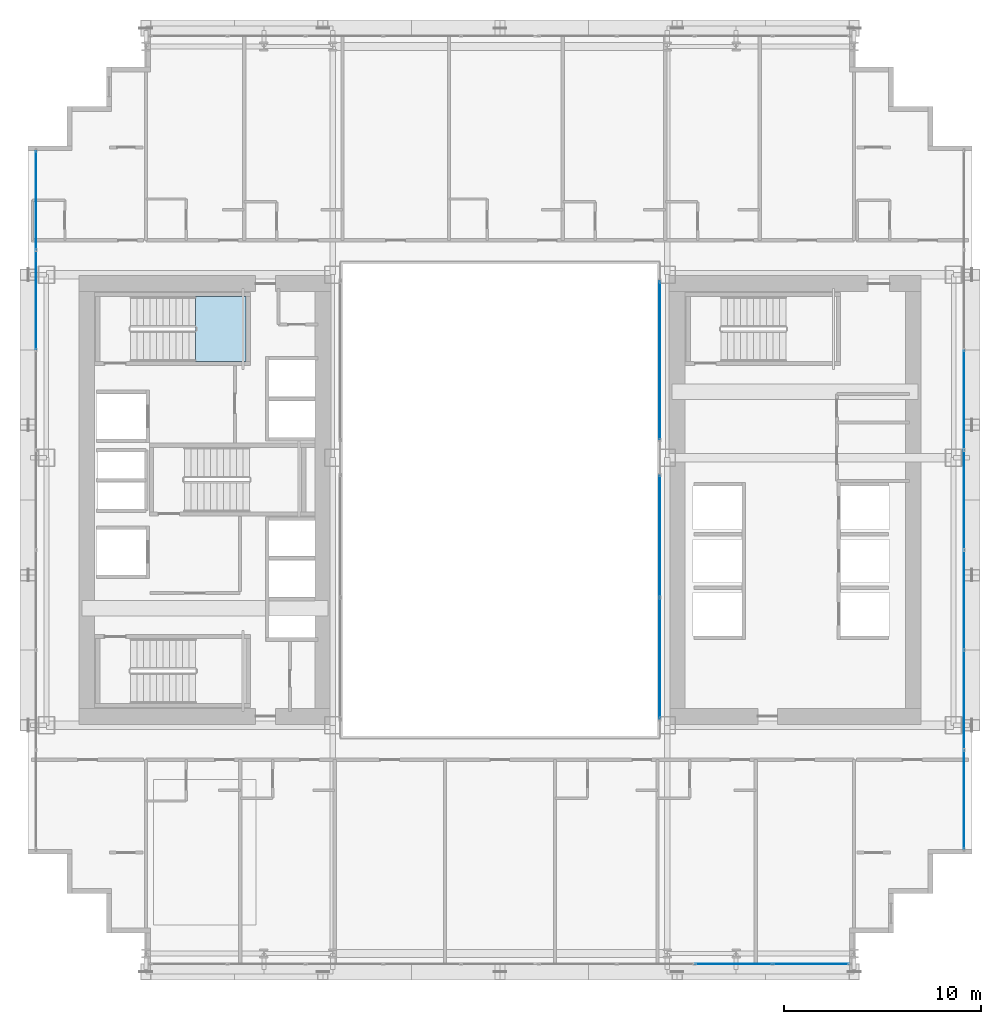
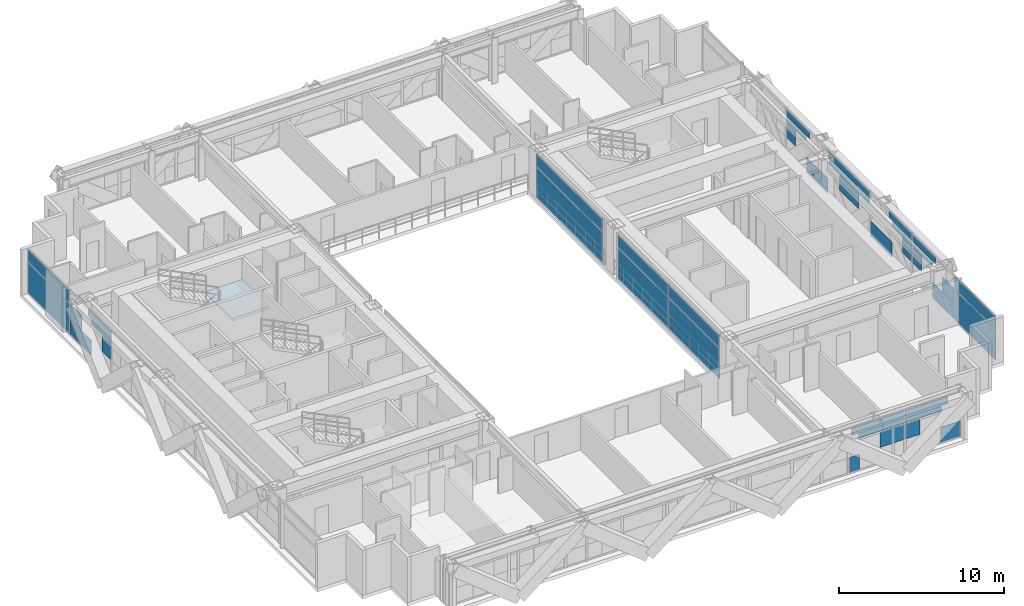
# One storey, part 29 of 41: 39 plates, 1 slab, 6 elements without a shape of their own.
"""IFC4 building model written with IfcOpenShell, lengths in metres."""

from ifc_helpers import new_model, si_unit, direction, frame, origin, origin_2d, place, context, subcontext, project, spatial, polyline, rectangle, outline, extrude, source, transform, mapped, material, layer, layer_set, type_object, element, aggregate, save


model = new_model("IFC4")

# Units and contexts
model_context = context("Model", 3, precision=1e-05, world=origin(), true_north=direction((0.0, 1.0)))
body_context = subcontext(model_context, "Body", "Model", "MODEL_VIEW")
ifc_project = project(units=[si_unit("LENGTHUNIT", "METRE"), si_unit("AREAUNIT", "SQUARE_METRE"), si_unit("VOLUMEUNIT", "CUBIC_METRE"), si_unit("PLANEANGLEUNIT", "RADIAN"), si_unit("MASSUNIT", "GRAM", prefix="KILO")], contexts=[model_context])

# Site, building, storey
site_placement = place(None, origin())
site = spatial("IfcSite", under=ifc_project, at=site_placement, CompositionType="ELEMENT")
building_placement = place(site_placement, origin())
building = spatial("IfcBuilding", under=site, at=building_placement, Name="Ocotamira Hotel", CompositionType="ELEMENT")
storey_placement = place(building_placement, frame((0.0, 0.0, 67.199951171875)))
storey = spatial("IfcBuildingStorey", under=building, at=storey_placement, Name="L16", CompositionType="ELEMENT", Elevation=67.199951171875)

# Stair, slab
ifc_material_1 = material(Name="Concrete C40/50", Category="concrete")
stair_type = type_object("IfcStairType", Name="ST-CORE-1560", PredefinedType="HALF_TURN_STAIR", material=ifc_material_1)
stair_placement = place(storey_placement, origin())
stair = element("IfcStair", 1, at=stair_placement, inside=storey, type_object=stair_type, Name="L16 Exit Stair ST-2", PredefinedType="HALF_TURN_STAIR")
ifc_layer_1 = layer(ifc_material_1, 0.199951171875)
ifc_layer_set_1 = layer_set([ifc_layer_1], Name="Concrete C40/50")
slab_type = type_object("IfcSlabType", Name="SLB-LAND-200", PredefinedType="LANDING", material=ifc_layer_set_1)
slab_placement = place(storey_placement, frame((0.0, 0.0, 1.60009765625)))
slab = element("IfcSlab", 2, at=slab_placement, type_object=slab_type, Name="ST-2 landing 1", PredefinedType="LANDING", context=body_context, shape_type="SweptSolid", body=[
    extrude(outline(polyline([(16.530029296875, 33.050048828125), (19.090087890625, 33.050048828125), (19.090087890625, 36.330078125), (16.530029296875, 36.330078125), (16.530029296875, 33.050048828125)])), origin(), (0.0, 0.0, 1.0), 0.199951171875),
])
aggregate(stair, [slab])

# Curtain wall, plate
ifc_material_2 = material(Name="Anodised pale-metal aluminium and solar glass", Category="aluminium")
ifc_layer_2 = layer(ifc_material_2, 0.179931640625)
ifc_layer_set_2 = layer_set([ifc_layer_2], Name="Anodised pale-metal aluminium and solar glass")
curtain_wall_type_1 = type_object("IfcCurtainWallType", Name="CW-SYS2-Z1", PredefinedType="NOTDEFINED", material=ifc_layer_set_2)
curtain_wall_1_placement = place(storey_placement, origin())
curtain_wall_1 = element("IfcCurtainWall", 3, at=curtain_wall_1_placement, inside=storey, type_object=curtain_wall_type_1, Name="L16 Curtain Wall CW-2 CW-L16-W", PredefinedType="NOTDEFINED")
ifc_material_3 = material(Name="Double-silver low-E insulated solar glass", Category="glass")
ifc_layer_3 = layer(ifc_material_3, 0.031982421875)
ifc_layer_set_3 = layer_set([ifc_layer_3], Name="Double-silver low-E insulated solar glass")
plate_type = type_object("IfcPlateType", Name="CWP-VISION-32", PredefinedType="CURTAIN_PANEL", material=ifc_layer_set_3)
shared_shape_1 = source(origin(), body_context, "Body", "SweptSolid", [
    extrude(rectangle(XDim=4.9658203125, YDim=0.031982421875, at=origin_2d()), origin(), (0.0, 0.0, 1.0), 2.237548828125),
])
plate_1_placement = place(storey_placement, frame((8.419921875, 41.237060546875, 0.0751953125), z_axis=(0.0, 0.0, 1.0), x_axis=(0.0, 1.0, 0.0)))
plate_1 = element("IfcPlate", 4, at=plate_1_placement, type_object=plate_type, Name="CW-2 panel 7.1", PredefinedType="CURTAIN_PANEL", context=body_context, shape_type="MappedRepresentation", body=[
    mapped(shared_shape_1, transform((0.0, 0.0, 0.0), scale=1.0)),
])

curtain_wall_2_placement = place(storey_placement, origin())
curtain_wall_2 = element("IfcCurtainWall", 5, at=curtain_wall_2_placement, inside=storey, type_object=curtain_wall_type_1, Name="L16 Curtain Wall CW-2 CW-L16-E", PredefinedType="NOTDEFINED")
plate_2_placement = place(storey_placement, frame((55.580078125, 10.762939453125, 0.0751953125), z_axis=(0.0, 0.0, 1.0), x_axis=(0.0, 1.0, 0.0)))
plate_2 = element("IfcPlate", 6, at=plate_2_placement, type_object=plate_type, Name="CW-2 panel 1.1", PredefinedType="CURTAIN_PANEL", context=body_context, shape_type="MappedRepresentation", body=[
    mapped(shared_shape_1, transform((0.0, 0.0, 0.0), scale=1.0)),
])

# Plate
shared_shape_2 = source(origin(), body_context, "Body", "SweptSolid", [
    extrude(rectangle(XDim=4.9658203125, YDim=0.031982421875, at=origin_2d()), origin(), (0.0, 0.0, 1.0), 0.887451171875),
])
plate_3_placement = place(storey_placement, frame((8.419921875, 41.237060546875, 2.3876953125), z_axis=(0.0, 0.0, 1.0), x_axis=(0.0, 1.0, 0.0)))
plate_3 = element("IfcPlate", 7, at=plate_3_placement, type_object=plate_type, Name="CW-2 panel 7.2", PredefinedType="CURTAIN_PANEL", context=body_context, shape_type="MappedRepresentation", body=[
    mapped(shared_shape_2, transform((0.0, 0.0, 0.0), scale=1.0)),
])

plate_4_placement = place(storey_placement, frame((55.580078125, 10.762939453125, 2.3876953125), z_axis=(0.0, 0.0, 1.0), x_axis=(0.0, 1.0, 0.0)))
plate_4 = element("IfcPlate", 8, at=plate_4_placement, type_object=plate_type, Name="CW-2 panel 1.2", PredefinedType="CURTAIN_PANEL", context=body_context, shape_type="MappedRepresentation", body=[
    mapped(shared_shape_2, transform((0.0, 0.0, 0.0), scale=1.0)),
])

# Curtain wall, plates
curtain_wall_3_placement = place(storey_placement, origin())
curtain_wall_3 = element("IfcCurtainWall", 9, at=curtain_wall_3_placement, inside=storey, type_object=curtain_wall_type_1, Name="L16 Curtain Wall CW-2 CW-L16-S1", PredefinedType="NOTDEFINED")
shared_shape_3 = source(origin(), body_context, "Body", "SweptSolid", [
    extrude(rectangle(XDim=1.382568359375, YDim=0.031982421875, at=origin_2d()), origin(), (0.0, 0.0, 1.0), 1.11865234375),
])
plate_5_placement = place(storey_placement, frame((49.02880859375, 2.419921875, 0.0751953125), z_axis=(0.0, 0.0, 1.0), x_axis=(1.0, 0.0, 0.0)))
plate_5 = element("IfcPlate", 10, at=plate_5_placement, type_object=plate_type, Name="CW-2 panel 9.1.2", PredefinedType="CURTAIN_PANEL", context=body_context, shape_type="MappedRepresentation", body=[
    mapped(shared_shape_3, transform((0.0, 0.0, 0.0), scale=1.0)),
])
shared_shape_4 = source(origin(), body_context, "Body", "SweptSolid", [
    extrude(rectangle(XDim=2.9755859375, YDim=0.031982421875, at=origin_2d()), origin(), (0.0, 0.0, 1.0), 0.5107421875),
])
plate_6_placement = place(storey_placement, frame((47.372314453125, 2.419921875, 2.76416015625), z_axis=(0.0, 0.0, 1.0), x_axis=(1.0, 0.0, 0.0)))
plate_6 = element("IfcPlate", 11, at=plate_6_placement, type_object=plate_type, Name="CW-2 panel 9.2.2", PredefinedType="CURTAIN_PANEL", context=body_context, shape_type="MappedRepresentation", body=[
    mapped(shared_shape_4, transform((0.0, 0.0, 0.0), scale=1.0)),
])
shared_shape_5 = source(origin(), body_context, "Body", "SweptSolid", [
    extrude(rectangle(XDim=2.504638671875, YDim=0.031982421875, at=origin_2d()), origin(), (0.0, 0.0, 1.0), 0.345458984375),
])
plate_7_placement = place(storey_placement, frame((47.13671875, 2.419921875, 2.3876953125), z_axis=(0.0, 0.0, 1.0), x_axis=(1.0, 0.0, 0.0)))
plate_7 = element("IfcPlate", 12, at=plate_7_placement, type_object=plate_type, Name="CW-2 panel 9.2.1", PredefinedType="CURTAIN_PANEL", context=body_context, shape_type="MappedRepresentation", body=[
    mapped(shared_shape_5, transform((0.0, 0.0, 0.0), scale=1.0)),
])
shared_shape_6 = source(origin(), body_context, "Body", "SweptSolid", [
    extrude(rectangle(XDim=0.733642578125, YDim=0.031982421875, at=origin_2d()), origin(), (0.0, 0.0, 1.0), 1.11865234375),
])
plate_8_placement = place(storey_placement, frame((42.295654296875, 2.419921875, 0.0751953125), z_axis=(0.0, 0.0, 1.0), x_axis=(1.0, 0.0, 0.0)))
plate_8 = element("IfcPlate", 13, at=plate_8_placement, type_object=plate_type, Name="CW-2 panel 8.1.1", PredefinedType="CURTAIN_PANEL", context=body_context, shape_type="MappedRepresentation", body=[
    mapped(shared_shape_6, transform((0.0, 0.0, 0.0), scale=1.0)),
])
shared_shape_7 = source(origin(), body_context, "Body", "SweptSolid", [
    extrude(rectangle(XDim=3.193603515625, YDim=0.031982421875, at=origin_2d()), origin(), (0.0, 0.0, 1.0), 0.376708984375),
])
plate_9_placement = place(storey_placement, frame((44.207763671875, 2.419921875, 2.3876953125), z_axis=(0.0, 0.0, 1.0), x_axis=(1.0, 0.0, 0.0)))
plate_9 = element("IfcPlate", 14, at=plate_9_placement, type_object=plate_type, Name="CW-2 panel 8.2.2", PredefinedType="CURTAIN_PANEL", context=body_context, shape_type="MappedRepresentation", body=[
    mapped(shared_shape_7, transform((0.0, 0.0, 0.0), scale=1.0)),
])
shared_shape_8 = source(origin(), body_context, "Body", "SweptSolid", [
    extrude(rectangle(XDim=3.664306640625, YDim=0.031982421875, at=origin_2d()), origin(), (0.0, 0.0, 1.0), 0.5107421875),
])
plate_10_placement = place(storey_placement, frame((43.972412109375, 2.419921875, 2.76416015625), z_axis=(0.0, 0.0, 1.0), x_axis=(1.0, 0.0, 0.0)))
plate_10 = element("IfcPlate", 15, at=plate_10_placement, type_object=plate_type, Name="CW-2 panel 8.2.1", PredefinedType="CURTAIN_PANEL", context=body_context, shape_type="MappedRepresentation", body=[
    mapped(shared_shape_8, transform((0.0, 0.0, 0.0), scale=1.0)),
])

# Plate
shared_shape_9 = source(origin(), body_context, "Body", "SweptSolid", [
    extrude(rectangle(XDim=2.58935546875, YDim=0.031982421875, at=origin_2d()), origin(), (0.0, 0.0, 1.0), 1.11865234375),
])
plate_11_placement = place(storey_placement, frame((8.419921875, 37.379638671875, 0.0751953125), z_axis=(0.0, 0.0, 1.0), x_axis=(0.0, 1.0, 0.0)))
plate_11 = element("IfcPlate", 16, at=plate_11_placement, type_object=plate_type, Name="CW-2 panel 6.1.2", PredefinedType="CURTAIN_PANEL", context=body_context, shape_type="MappedRepresentation", body=[
    mapped(shared_shape_9, transform((0.0, 0.0, 0.0), scale=1.0)),
])

plate_12_placement = place(storey_placement, frame((55.580078125, 14.620361328125, 0.0751953125), z_axis=(0.0, 0.0, 1.0), x_axis=(0.0, 1.0, 0.0)))
plate_12 = element("IfcPlate", 17, at=plate_12_placement, type_object=plate_type, Name="CW-2 panel 2.1.1", PredefinedType="CURTAIN_PANEL", context=body_context, shape_type="MappedRepresentation", body=[
    mapped(shared_shape_9, transform((0.0, 0.0, 0.0), scale=1.0)),
])

shared_shape_10 = source(origin(), body_context, "Body", "SweptSolid", [
    extrude(rectangle(XDim=2.796630859375, YDim=0.031982421875, at=origin_2d()), origin(), (0.0, 0.0, 1.0), 0.485107421875),
])
plate_13_placement = place(storey_placement, frame((8.419921875, 35.06689453125, 2.7900390625), z_axis=(0.0, 0.0, 1.0), x_axis=(0.0, 1.0, 0.0)))
plate_13 = element("IfcPlate", 18, at=plate_13_placement, type_object=plate_type, Name="CW-2 panel 6.2.2", PredefinedType="CURTAIN_PANEL", context=body_context, shape_type="MappedRepresentation", body=[
    mapped(shared_shape_10, transform((0.0, 0.0, 0.0), scale=1.0)),
])

plate_14_placement = place(storey_placement, frame((55.580078125, 16.93310546875, 2.7900390625), z_axis=(0.0, 0.0, 1.0), x_axis=(0.0, 1.0, 0.0)))
plate_14 = element("IfcPlate", 19, at=plate_14_placement, type_object=plate_type, Name="CW-2 panel 2.2.1", PredefinedType="CURTAIN_PANEL", context=body_context, shape_type="MappedRepresentation", body=[
    mapped(shared_shape_10, transform((0.0, 0.0, 0.0), scale=1.0)),
])

shared_shape_11 = source(origin(), body_context, "Body", "SweptSolid", [
    extrude(rectangle(XDim=2.3701171875, YDim=0.031982421875, at=origin_2d()), origin(), (0.0, 0.0, 1.0), 0.367919921875),
])
plate_15_placement = place(storey_placement, frame((8.419921875, 34.853759765625, 2.3876953125), z_axis=(0.0, 0.0, 1.0), x_axis=(0.0, 1.0, 0.0)))
plate_15 = element("IfcPlate", 20, at=plate_15_placement, type_object=plate_type, Name="CW-2 panel 6.2.1", PredefinedType="CURTAIN_PANEL", context=body_context, shape_type="MappedRepresentation", body=[
    mapped(shared_shape_11, transform((0.0, 0.0, 0.0), scale=1.0)),
])

plate_16_placement = place(storey_placement, frame((55.580078125, 17.146240234375, 2.3876953125), z_axis=(0.0, 0.0, 1.0), x_axis=(0.0, 1.0, 0.0)))
plate_16 = element("IfcPlate", 21, at=plate_16_placement, type_object=plate_type, Name="CW-2 panel 2.2.2", PredefinedType="CURTAIN_PANEL", context=body_context, shape_type="MappedRepresentation", body=[
    mapped(shared_shape_11, transform((0.0, 0.0, 0.0), scale=1.0)),
])

shared_shape_12 = source(origin(), body_context, "Body", "SweptSolid", [
    extrude(rectangle(XDim=2.59912109375, YDim=0.031982421875, at=origin_2d()), origin(), (0.0, 0.0, 1.0), 1.11865234375),
])
plate_17_placement = place(storey_placement, frame((55.580078125, 22.11767578125, 0.0751953125), z_axis=(0.0, 0.0, 1.0), x_axis=(0.0, 1.0, 0.0)))
plate_17 = element("IfcPlate", 22, at=plate_17_placement, type_object=plate_type, Name="CW-2 panel 3.1.2", PredefinedType="CURTAIN_PANEL", context=body_context, shape_type="MappedRepresentation", body=[
    mapped(shared_shape_12, transform((0.0, 0.0, 0.0), scale=1.0)),
])

plate_18_placement = place(storey_placement, frame((55.580078125, 29.88232421875, 0.0751953125), z_axis=(0.0, 0.0, 1.0), x_axis=(0.0, 1.0, 0.0)))
plate_18 = element("IfcPlate", 23, at=plate_18_placement, type_object=plate_type, Name="CW-2 panel 5.1.1", PredefinedType="CURTAIN_PANEL", context=body_context, shape_type="MappedRepresentation", body=[
    mapped(shared_shape_12, transform((0.0, 0.0, 0.0), scale=1.0)),
])

shared_shape_13 = source(origin(), body_context, "Body", "SweptSolid", [
    extrude(rectangle(XDim=2.360595703125, YDim=0.031982421875, at=origin_2d()), origin(), (0.0, 0.0, 1.0), 0.367919921875),
])
plate_19_placement = place(storey_placement, frame((55.580078125, 19.591796875, 2.3876953125), z_axis=(0.0, 0.0, 1.0), x_axis=(0.0, 1.0, 0.0)))
plate_19 = element("IfcPlate", 24, at=plate_19_placement, type_object=plate_type, Name="CW-2 panel 3.2.1", PredefinedType="CURTAIN_PANEL", context=body_context, shape_type="MappedRepresentation", body=[
    mapped(shared_shape_13, transform((0.0, 0.0, 0.0), scale=1.0)),
])

plate_20_placement = place(storey_placement, frame((55.580078125, 32.408203125, 2.3876953125), z_axis=(0.0, 0.0, 1.0), x_axis=(0.0, 1.0, 0.0)))
plate_20 = element("IfcPlate", 25, at=plate_20_placement, type_object=plate_type, Name="CW-2 panel 5.2.2", PredefinedType="CURTAIN_PANEL", context=body_context, shape_type="MappedRepresentation", body=[
    mapped(shared_shape_13, transform((0.0, 0.0, 0.0), scale=1.0)),
])

shared_shape_14 = source(origin(), body_context, "Body", "SweptSolid", [
    extrude(rectangle(XDim=2.787109375, YDim=0.031982421875, at=origin_2d()), origin(), (0.0, 0.0, 1.0), 0.485107421875),
])
plate_21_placement = place(storey_placement, frame((55.580078125, 19.804931640625, 2.7900390625), z_axis=(0.0, 0.0, 1.0), x_axis=(0.0, 1.0, 0.0)))
plate_21 = element("IfcPlate", 26, at=plate_21_placement, type_object=plate_type, Name="CW-2 panel 3.2.2", PredefinedType="CURTAIN_PANEL", context=body_context, shape_type="MappedRepresentation", body=[
    mapped(shared_shape_14, transform((0.0, 0.0, 0.0), scale=1.0)),
])

plate_22_placement = place(storey_placement, frame((55.580078125, 32.195068359375, 2.7900390625), z_axis=(0.0, 0.0, 1.0), x_axis=(0.0, 1.0, 0.0)))
plate_22 = element("IfcPlate", 27, at=plate_22_placement, type_object=plate_type, Name="CW-2 panel 5.2.1", PredefinedType="CURTAIN_PANEL", context=body_context, shape_type="MappedRepresentation", body=[
    mapped(shared_shape_14, transform((0.0, 0.0, 0.0), scale=1.0)),
])

shared_shape_15 = source(origin(), body_context, "Body", "SweptSolid", [
    extrude(rectangle(XDim=5.005615234375, YDim=0.031982421875, at=origin_2d()), origin(), (0.0, 0.0, 1.0), 0.485107421875),
])
plate_23_placement = place(storey_placement, frame((55.580078125, 26.0, 2.7900390625), z_axis=(0.0, 0.0, 1.0), x_axis=(0.0, 1.0, 0.0)))
plate_23 = element("IfcPlate", 28, at=plate_23_placement, type_object=plate_type, Name="CW-2 panel 4.2.1", PredefinedType="CURTAIN_PANEL", context=body_context, shape_type="MappedRepresentation", body=[
    mapped(shared_shape_15, transform((0.0, 0.0, 0.0), scale=1.0)),
])

shared_shape_16 = source(origin(), body_context, "Body", "SweptSolid", [
    extrude(rectangle(XDim=4.81103515625, YDim=0.031982421875, at=origin_2d()), origin(), (0.0, 0.0, 1.0), 0.40234375),
])
plate_24_placement = place(storey_placement, frame((55.580078125, 26.0, 2.387451171875), z_axis=(0.0, 0.0, 1.0), x_axis=(0.0, 1.0, 0.0)))
plate_24 = element("IfcPlate", 29, at=plate_24_placement, type_object=plate_type, Name="CW-2 panel 4.2.2", PredefinedType="CURTAIN_PANEL", context=body_context, shape_type="MappedRepresentation", body=[
    mapped(shared_shape_16, transform((0.0, 0.0, 0.0), scale=1.0)),
])

# Curtain wall, plates
ifc_layer_4 = layer(ifc_material_2, 0.159912109375)
ifc_layer_set_4 = layer_set([ifc_layer_4], Name="Anodised pale-metal aluminium and solar glass")
curtain_wall_type_2 = type_object("IfcCurtainWallType", Name="CW-SYS6-ATR", PredefinedType="NOTDEFINED", material=ifc_layer_set_4)
curtain_wall_4_placement = place(storey_placement, origin())
curtain_wall_4 = element("IfcCurtainWall", 30, at=curtain_wall_4_placement, inside=storey, type_object=curtain_wall_type_2, Name="L16 Curtain Wall CW-6 CW-L16-ATRE1", PredefinedType="NOTDEFINED")
shared_shape_17 = source(origin(), body_context, "Body", "SweptSolid", [
    extrude(rectangle(XDim=6.1298828125, YDim=0.031982421875, at=origin_2d()), origin(), (0.0, 0.0, 1.0), 2.237548828125),
])
plate_25_placement = place(storey_placement, frame((40.1201171875, 17.945068359375, 0.0751953125), z_axis=(0.0, 0.0, 1.0), x_axis=(0.0, 1.0, 0.0)))
plate_25 = element("IfcPlate", 31, at=plate_25_placement, type_object=plate_type, Name="CW-6 panel 1.1", PredefinedType="CURTAIN_PANEL", context=body_context, shape_type="MappedRepresentation", body=[
    mapped(shared_shape_17, transform((0.0, 0.0, 0.0), scale=1.0)),
])
plate_26_placement = place(storey_placement, frame((40.1201171875, 24.155029296875, 0.0751953125), z_axis=(0.0, 0.0, 1.0), x_axis=(0.0, 1.0, 0.0)))
plate_26 = element("IfcPlate", 32, at=plate_26_placement, type_object=plate_type, Name="CW-6 panel 2.1", PredefinedType="CURTAIN_PANEL", context=body_context, shape_type="MappedRepresentation", body=[
    mapped(shared_shape_17, transform((0.0, 0.0, 0.0), scale=1.0)),
])
shared_shape_18 = source(origin(), body_context, "Body", "SweptSolid", [
    extrude(rectangle(XDim=6.1298828125, YDim=0.031982421875, at=origin_2d()), origin(), (0.0, 0.0, 1.0), 0.887451171875),
])
plate_27_placement = place(storey_placement, frame((40.1201171875, 17.945068359375, 2.3876953125), z_axis=(0.0, 0.0, 1.0), x_axis=(0.0, 1.0, 0.0)))
plate_27 = element("IfcPlate", 33, at=plate_27_placement, type_object=plate_type, Name="CW-6 panel 1.2", PredefinedType="CURTAIN_PANEL", context=body_context, shape_type="MappedRepresentation", body=[
    mapped(shared_shape_18, transform((0.0, 0.0, 0.0), scale=1.0)),
])
plate_28_placement = place(storey_placement, frame((40.1201171875, 24.155029296875, 2.3876953125), z_axis=(0.0, 0.0, 1.0), x_axis=(0.0, 1.0, 0.0)))
plate_28 = element("IfcPlate", 34, at=plate_28_placement, type_object=plate_type, Name="CW-6 panel 2.2", PredefinedType="CURTAIN_PANEL", context=body_context, shape_type="MappedRepresentation", body=[
    mapped(shared_shape_18, transform((0.0, 0.0, 0.0), scale=1.0)),
])
aggregate(curtain_wall_4, [plate_25, plate_27, plate_26, plate_28])

curtain_wall_5_placement = place(storey_placement, origin())
curtain_wall_5 = element("IfcCurtainWall", 35, at=curtain_wall_5_placement, inside=storey, type_object=curtain_wall_type_2, Name="L16 Curtain Wall CW-6 CW-L16-ATRE2", PredefinedType="NOTDEFINED")
shared_shape_19 = source(origin(), body_context, "Body", "SweptSolid", [
    extrude(rectangle(XDim=8.0400390625, YDim=0.031982421875, at=origin_2d()), origin(), (0.0, 0.0, 1.0), 2.237548828125),
])
plate_29_placement = place(storey_placement, frame((40.1201171875, 33.10009765625, 0.0751953125), z_axis=(0.0, 0.0, 1.0), x_axis=(0.0, 1.0, 0.0)))
plate_29 = element("IfcPlate", 36, at=plate_29_placement, type_object=plate_type, Name="CW-6 panel 1.1", PredefinedType="CURTAIN_PANEL", context=body_context, shape_type="MappedRepresentation", body=[
    mapped(shared_shape_19, transform((0.0, 0.0, 0.0), scale=1.0)),
])
shared_shape_20 = source(origin(), body_context, "Body", "SweptSolid", [
    extrude(rectangle(XDim=8.0400390625, YDim=0.031982421875, at=origin_2d()), origin(), (0.0, 0.0, 1.0), 0.887451171875),
])
plate_30_placement = place(storey_placement, frame((40.1201171875, 33.10009765625, 2.3876953125), z_axis=(0.0, 0.0, 1.0), x_axis=(0.0, 1.0, 0.0)))
plate_30 = element("IfcPlate", 37, at=plate_30_placement, type_object=plate_type, Name="CW-6 panel 1.2", PredefinedType="CURTAIN_PANEL", context=body_context, shape_type="MappedRepresentation", body=[
    mapped(shared_shape_20, transform((0.0, 0.0, 0.0), scale=1.0)),
])
aggregate(curtain_wall_5, [plate_29, plate_30])

# Plate
shared_shape_21 = source(origin(), body_context, "Body", "SweptSolid", [
    extrude(rectangle(XDim=2.27978515625, YDim=0.031982421875, at=origin_2d()), origin(), (0.0, 0.0, 1.0), 1.118896484375),
])
plate_31_placement = place(storey_placement, frame((55.580078125, 26.0, 1.19384765625), z_axis=(0.0, 0.0, 1.0), x_axis=(0.0, 1.0, 0.0)))
plate_31 = element("IfcPlate", 38, at=plate_31_placement, type_object=plate_type, Name="CW-2 panel 4.1.1", PredefinedType="CURTAIN_PANEL", context=body_context, shape_type="MappedRepresentation", body=[
    mapped(shared_shape_21, transform((0.0, 0.0, 0.0), scale=1.0)),
])

shared_shape_22 = source(origin(), body_context, "Body", "SweptSolid", [
    extrude(rectangle(XDim=1.012451171875, YDim=0.031982421875, at=origin_2d()), origin(), (0.0, 0.0, 1.0), 1.118896484375),
])
plate_32_placement = place(storey_placement, frame((46.390625, 2.419921875, 1.19384765625), z_axis=(0.0, 0.0, 1.0), x_axis=(1.0, 0.0, 0.0)))
plate_32 = element("IfcPlate", 39, at=plate_32_placement, type_object=plate_type, Name="CW-2 panel 9.1.1", PredefinedType="CURTAIN_PANEL", context=body_context, shape_type="MappedRepresentation", body=[
    mapped(shared_shape_22, transform((0.0, 0.0, 0.0), scale=1.0)),
])

shared_shape_23 = source(origin(), body_context, "Body", "SweptSolid", [
    extrude(rectangle(XDim=1.701416015625, YDim=0.031982421875, at=origin_2d()), origin(), (0.0, 0.0, 1.0), 1.118896484375),
])
plate_33_placement = place(storey_placement, frame((44.953857421875, 2.419921875, 1.19384765625), z_axis=(0.0, 0.0, 1.0), x_axis=(1.0, 0.0, 0.0)))
plate_33 = element("IfcPlate", 40, at=plate_33_placement, type_object=plate_type, Name="CW-2 panel 8.1.2", PredefinedType="CURTAIN_PANEL", context=body_context, shape_type="MappedRepresentation", body=[
    mapped(shared_shape_23, transform((0.0, 0.0, 0.0), scale=1.0)),
])

aggregate(curtain_wall_3, [plate_8, plate_33, plate_10, plate_9, plate_32, plate_5, plate_7, plate_6])

shared_shape_24 = source(origin(), body_context, "Body", "SweptSolid", [
    extrude(rectangle(XDim=1.4033203125, YDim=0.031982421875, at=origin_2d()), origin(), (0.0, 0.0, 1.0), 1.118896484375),
])
plate_34_placement = place(storey_placement, frame((8.419921875, 37.97265625, 1.19384765625), z_axis=(0.0, 0.0, 1.0), x_axis=(0.0, 1.0, 0.0)))
plate_34 = element("IfcPlate", 41, at=plate_34_placement, type_object=plate_type, Name="CW-2 panel 6.1.3", PredefinedType="CURTAIN_PANEL", context=body_context, shape_type="MappedRepresentation", body=[
    mapped(shared_shape_24, transform((0.0, 0.0, 0.0), scale=1.0)),
])

plate_35_placement = place(storey_placement, frame((55.580078125, 14.02734375, 1.19384765625), z_axis=(0.0, 0.0, 1.0), x_axis=(0.0, 1.0, 0.0)))
plate_35 = element("IfcPlate", 42, at=plate_35_placement, type_object=plate_type, Name="CW-2 panel 2.1.2", PredefinedType="CURTAIN_PANEL", context=body_context, shape_type="MappedRepresentation", body=[
    mapped(shared_shape_24, transform((0.0, 0.0, 0.0), scale=1.0)),
])

shared_shape_25 = source(origin(), body_context, "Body", "SweptSolid", [
    extrude(rectangle(XDim=1.104736328125, YDim=0.031982421875, at=origin_2d()), origin(), (0.0, 0.0, 1.0), 1.118896484375),
])
plate_36_placement = place(storey_placement, frame((8.419921875, 34.220947265625, 1.19384765625), z_axis=(0.0, 0.0, 1.0), x_axis=(0.0, 1.0, 0.0)))
plate_36 = element("IfcPlate", 43, at=plate_36_placement, type_object=plate_type, Name="CW-2 panel 6.1.1", PredefinedType="CURTAIN_PANEL", context=body_context, shape_type="MappedRepresentation", body=[
    mapped(shared_shape_25, transform((0.0, 0.0, 0.0), scale=1.0)),
])

aggregate(curtain_wall_1, [plate_36, plate_11, plate_34, plate_15, plate_13, plate_1, plate_3])

plate_37_placement = place(storey_placement, frame((55.580078125, 17.779052734375, 1.19384765625), z_axis=(0.0, 0.0, 1.0), x_axis=(0.0, 1.0, 0.0)))
plate_37 = element("IfcPlate", 44, at=plate_37_placement, type_object=plate_type, Name="CW-2 panel 2.1.3", PredefinedType="CURTAIN_PANEL", context=body_context, shape_type="MappedRepresentation", body=[
    mapped(shared_shape_25, transform((0.0, 0.0, 0.0), scale=1.0)),
])

shared_shape_26 = source(origin(), body_context, "Body", "SweptSolid", [
    extrude(rectangle(XDim=1.094970703125, YDim=0.031982421875, at=origin_2d()), origin(), (0.0, 0.0, 1.0), 1.118896484375),
])
plate_38_placement = place(storey_placement, frame((55.580078125, 18.958984375, 1.19384765625), z_axis=(0.0, 0.0, 1.0), x_axis=(0.0, 1.0, 0.0)))
plate_38 = element("IfcPlate", 45, at=plate_38_placement, type_object=plate_type, Name="CW-2 panel 3.1.1", PredefinedType="CURTAIN_PANEL", context=body_context, shape_type="MappedRepresentation", body=[
    mapped(shared_shape_26, transform((0.0, 0.0, 0.0), scale=1.0)),
])

plate_39_placement = place(storey_placement, frame((55.580078125, 33.041015625, 1.19384765625), z_axis=(0.0, 0.0, 1.0), x_axis=(0.0, 1.0, 0.0)))
plate_39 = element("IfcPlate", 46, at=plate_39_placement, type_object=plate_type, Name="CW-2 panel 5.1.2", PredefinedType="CURTAIN_PANEL", context=body_context, shape_type="MappedRepresentation", body=[
    mapped(shared_shape_26, transform((0.0, 0.0, 0.0), scale=1.0)),
])

aggregate(curtain_wall_2, [plate_2, plate_4, plate_12, plate_35, plate_37, plate_14, plate_16, plate_38, plate_17, plate_19, plate_21, plate_31, plate_23, plate_24, plate_18, plate_39, plate_22, plate_20])

save(model, "model.ifc")
